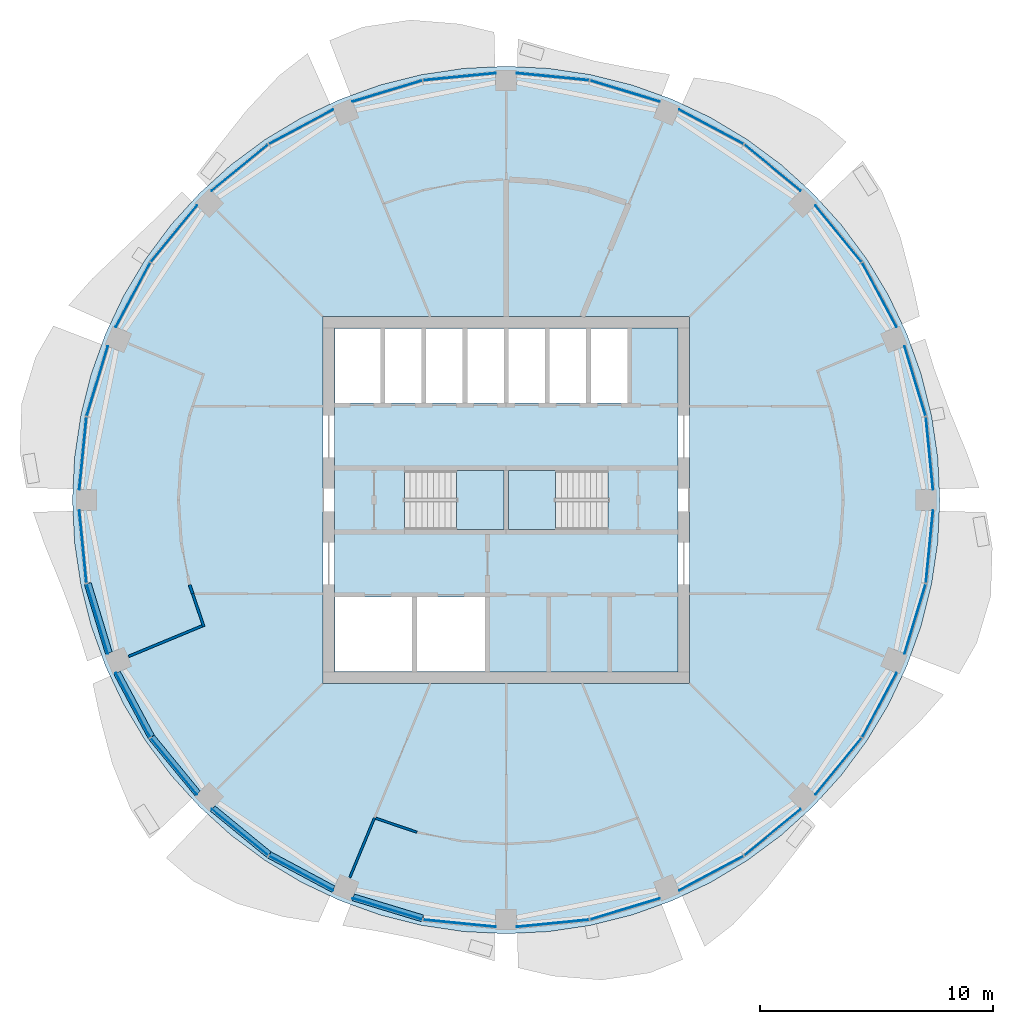
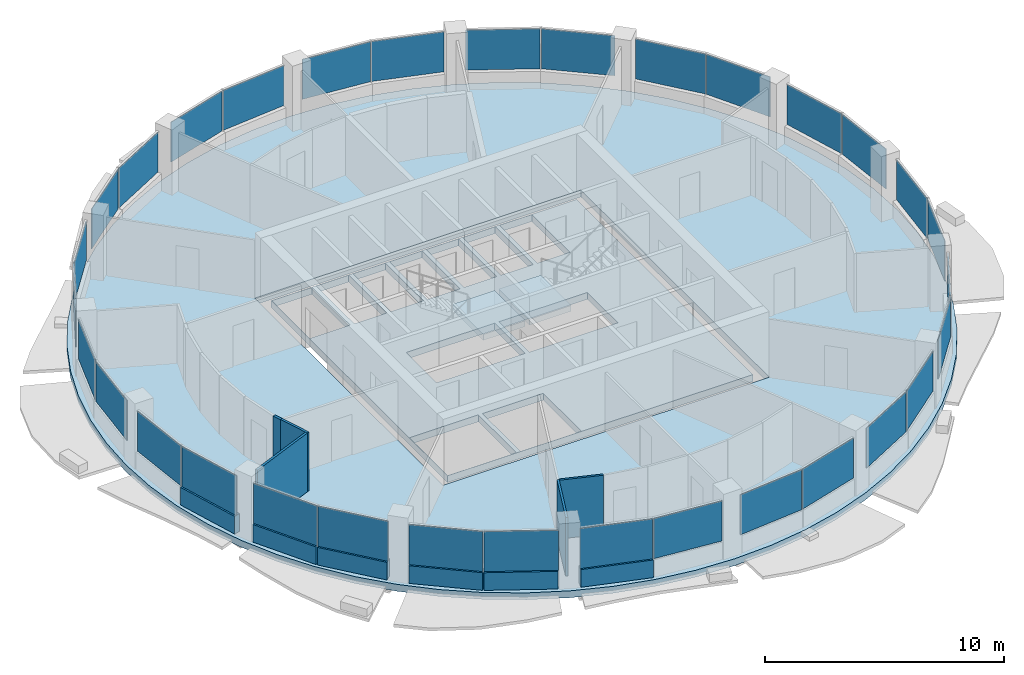
# One storey, part 7 of 15: 32 plates, 11 walls, 4 slabs, 18 elements without a shape of their own.
"""IFC4 building model written with IfcOpenShell, lengths in metres."""

from ifc_helpers import new_model, si_unit, direction, frame, frame_2d, origin, origin_2d, place, context, subcontext, project, spatial, polyline, rectangle, outline, extrude, material, layer, layer_set, type_object, element, aggregate, save


model = new_model("IFC4")

# Units and contexts
model_context = context("Model", 3, precision=1e-05, world=origin(), true_north=direction((0.0, 1.0)))
body_context = subcontext(model_context, "Body", "Model", "MODEL_VIEW")
ifc_project = project(units=[si_unit("LENGTHUNIT", "METRE"), si_unit("AREAUNIT", "SQUARE_METRE"), si_unit("VOLUMEUNIT", "CUBIC_METRE"), si_unit("PLANEANGLEUNIT", "RADIAN"), si_unit("MASSUNIT", "GRAM", prefix="KILO")], contexts=[model_context])

# Site, building, storey
site_placement = place(None, origin())
site = spatial("IfcSite", under=ifc_project, at=site_placement, CompositionType="ELEMENT")
building_placement = place(site_placement, origin())
building = spatial("IfcBuilding", under=site, at=building_placement, Name="Polderwave Tower", CompositionType="ELEMENT")
storey_placement = place(building_placement, frame((0.0, 0.0, 177.60009765625)))
storey = spatial("IfcBuildingStorey", under=building, at=storey_placement, Name="L47", CompositionType="ELEMENT", Elevation=177.60009765625)

# Slab
ifc_material_1 = material(Name="Concrete C40/50", Category="concrete")
ifc_layer_1 = layer(ifc_material_1, 0.35009765625)
ifc_layer_set_1 = layer_set([ifc_layer_1], Name="Core floor slab 350")
slab_type_1 = type_object("IfcSlabType", Name="Core floor slab 350", PredefinedType="FLOOR", material=ifc_layer_set_1)
slab_1_placement = place(storey_placement, frame((0.0, 0.0, -0.35009765625)))
element("IfcSlab", 1, at=slab_1_placement, inside=storey, type_object=slab_type_1, Name="L47 core floor", PredefinedType="FLOOR", context=body_context, shape_type="SweptSolid", body=[
    extrude(outline(polyline([(-7.3740234375, -7.3740234375), (7.3740234375, -7.3740234375), (7.3740234375, 7.3740234375), (-7.3740234375, 7.3740234375), (-7.3740234375, -7.3740234375)]), holes=[polyline([(-7.35400390625, -7.35400390625), (-4.037109375, -7.35400390625), (-4.037109375, -4.174072265625), (-7.35400390625, -4.174072265625), (-7.35400390625, -7.35400390625)]), polyline([(-3.8369140625, -7.35400390625), (-0.89990234375, -7.35400390625), (-0.89990234375, -4.174072265625), (-3.8369140625, -4.174072265625), (-3.8369140625, -7.35400390625)]), polyline([(-7.35400390625, 4.174072265625), (-5.405517578125, 4.174072265625), (-5.405517578125, 7.35400390625), (-7.35400390625, 7.35400390625), (-7.35400390625, 4.174072265625)]), polyline([(-5.20556640625, 4.174072265625), (-3.636962890625, 4.174072265625), (-3.636962890625, 7.35400390625), (-5.20556640625, 7.35400390625), (-5.20556640625, 4.174072265625)]), polyline([(-3.43701171875, 4.174072265625), (-1.868408203125, 4.174072265625), (-1.868408203125, 7.35400390625), (-3.43701171875, 7.35400390625), (-3.43701171875, 4.174072265625)]), polyline([(-1.66845703125, 4.174072265625), (-0.10009765625, 4.174072265625), (-0.10009765625, 7.35400390625), (-1.66845703125, 7.35400390625), (-1.66845703125, 4.174072265625)]), polyline([(0.10009765625, 4.174072265625), (1.66845703125, 4.174072265625), (1.66845703125, 7.35400390625), (0.10009765625, 7.35400390625), (0.10009765625, 4.174072265625)]), polyline([(1.868408203125, 4.174072265625), (3.43701171875, 4.174072265625), (3.43701171875, 7.35400390625), (1.868408203125, 7.35400390625), (1.868408203125, 4.174072265625)]), polyline([(3.636962890625, 4.174072265625), (5.20556640625, 4.174072265625), (5.20556640625, 7.35400390625), (3.636962890625, 7.35400390625), (3.636962890625, 4.174072265625)]), polyline([(-4.37353515625, -1.2744140625), (-0.1005859375, -1.2744140625), (-0.1005859375, 1.2744140625), (-4.37353515625, 1.2744140625), (-4.37353515625, -1.2744140625)]), polyline([(0.1005859375, -1.2744140625), (4.37353515625, -1.2744140625), (4.37353515625, 1.2744140625), (0.1005859375, 1.2744140625), (0.1005859375, -1.2744140625)])]), origin(), (0.0, 0.0, 1.0), 0.35009765625),
])

# Curtain wall, plates
ifc_material_2 = material(Name="Aluminium 6063-T6 and glass", Category="aluminium")
curtain_wall_type = type_object("IfcCurtainWallType", Name="Office ribbon glazing wall", PredefinedType="NOTDEFINED", material=ifc_material_2)
curtain_wall_1_placement = place(storey_placement, origin())
curtain_wall_1 = element("IfcCurtainWall", 2, at=curtain_wall_1_placement, inside=storey, type_object=curtain_wall_type, Name="CW3 L47 00", PredefinedType="NOTDEFINED")
ifc_material_3 = material(Name="Glass, low-e laminated double glazing", Category="glass")
ifc_layer_2 = layer(ifc_material_3, 0.031982421875)
ifc_layer_set_2 = layer_set([ifc_layer_2], Name="Office ribbon glazing glass panel 32 mm")
plate_type = type_object("IfcPlateType", Name="Office ribbon glazing glass panel 32 mm", PredefinedType="CURTAIN_PANEL", material=ifc_layer_set_2)
plate_1_placement = place(storey_placement, frame((18.1728515625, 2.00341796875, 0.89990234375), z_axis=(0.0, 0.0, 1.0), x_axis=(-0.098119618386, 0.995174628137, 0.0)))
plate_1 = element("IfcPlate", 3, at=plate_1_placement, type_object=plate_type, Name="CW3 panel 1", PredefinedType="CURTAIN_PANEL", context=body_context, shape_type="SweptSolid", body=[
    extrude(rectangle(XDim=3.12158203125, YDim=0.031982421875, at=origin_2d()), origin(), (0.0, 0.0, 1.0), 2.0400390625),
])
plate_2_placement = place(storey_placement, frame((17.555908203125, 5.103759765625, 0.89990234375), z_axis=(0.0, 0.0, 1.0), x_axis=(-0.290289687778, 0.956938815792, 0.0)))
plate_2 = element("IfcPlate", 4, at=plate_2_placement, type_object=plate_type, Name="CW3 panel 2", PredefinedType="CURTAIN_PANEL", context=body_context, shape_type="SweptSolid", body=[
    extrude(rectangle(XDim=3.12109375, YDim=0.031982421875, at=origin_2d()), origin(), (0.0, 0.0, 1.0), 2.0400390625),
])
aggregate(curtain_wall_1, [plate_1, plate_2])

curtain_wall_2_placement = place(storey_placement, origin())
curtain_wall_2 = element("IfcCurtainWall", 5, at=curtain_wall_2_placement, inside=storey, type_object=curtain_wall_type, Name="CW3 L47 01", PredefinedType="NOTDEFINED")
plate_3_placement = place(storey_placement, frame((16.02294921875, 8.805419921875, 0.89990234375), z_axis=(0.0, 0.0, 1.0), x_axis=(-0.471559888514, 0.88183403855, 0.0)))
plate_3 = element("IfcPlate", 6, at=plate_3_placement, type_object=plate_type, Name="CW3 panel 1", PredefinedType="CURTAIN_PANEL", context=body_context, shape_type="SweptSolid", body=[
    extrude(rectangle(XDim=3.12158203125, YDim=0.031982421875, at=origin_2d()), origin(), (0.0, 0.0, 1.0), 2.0400390625),
])
plate_4_placement = place(storey_placement, frame((14.266357421875, 11.43359375, 0.89990234375), z_axis=(0.0, 0.0, 1.0), x_axis=(-0.634482324366, 0.772937371374, 0.0)))
plate_4 = element("IfcPlate", 7, at=plate_4_placement, type_object=plate_type, Name="CW3 panel 2", PredefinedType="CURTAIN_PANEL", context=body_context, shape_type="SweptSolid", body=[
    extrude(rectangle(XDim=3.12158203125, YDim=0.031982421875, at=origin_2d()), origin(), (0.0, 0.0, 1.0), 2.0400390625),
])
aggregate(curtain_wall_2, [plate_3, plate_4])

curtain_wall_3_placement = place(storey_placement, origin())
curtain_wall_3 = element("IfcCurtainWall", 8, at=curtain_wall_3_placement, inside=storey, type_object=curtain_wall_type, Name="CW3 L47 02", PredefinedType="NOTDEFINED")
plate_5_placement = place(storey_placement, frame((11.43359375, 14.266357421875, 0.89990234375), z_axis=(0.0, 0.0, 1.0), x_axis=(-0.772937371374, 0.634482324366, 0.0)))
plate_5 = element("IfcPlate", 9, at=plate_5_placement, type_object=plate_type, Name="CW3 panel 1", PredefinedType="CURTAIN_PANEL", context=body_context, shape_type="SweptSolid", body=[
    extrude(rectangle(XDim=3.12158203125, YDim=0.031982421875, at=origin_2d()), origin(), (0.0, 0.0, 1.0), 2.0400390625),
])
plate_6_placement = place(storey_placement, frame((8.805419921875, 16.02294921875, 0.89990234375), z_axis=(0.0, 0.0, 1.0), x_axis=(-0.88183403855, 0.471559888514, 0.0)))
plate_6 = element("IfcPlate", 10, at=plate_6_placement, type_object=plate_type, Name="CW3 panel 2", PredefinedType="CURTAIN_PANEL", context=body_context, shape_type="SweptSolid", body=[
    extrude(rectangle(XDim=3.12158203125, YDim=0.031982421875, at=origin_2d()), origin(), (0.0, 0.0, 1.0), 2.0400390625),
])
aggregate(curtain_wall_3, [plate_5, plate_6])

curtain_wall_4_placement = place(storey_placement, origin())
curtain_wall_4 = element("IfcCurtainWall", 11, at=curtain_wall_4_placement, inside=storey, type_object=curtain_wall_type, Name="CW3 L47 03", PredefinedType="NOTDEFINED")
plate_7_placement = place(storey_placement, frame((5.103759765625, 17.555908203125, 0.89990234375), z_axis=(0.0, 0.0, 1.0), x_axis=(-0.956938815792, 0.290289687778, 0.0)))
plate_7 = element("IfcPlate", 12, at=plate_7_placement, type_object=plate_type, Name="CW3 panel 1", PredefinedType="CURTAIN_PANEL", context=body_context, shape_type="SweptSolid", body=[
    extrude(rectangle(XDim=3.12109375, YDim=0.031982421875, at=origin_2d()), origin(), (0.0, 0.0, 1.0), 2.0400390625),
])
plate_8_placement = place(storey_placement, frame((2.00341796875, 18.1728515625, 0.89990234375), z_axis=(0.0, 0.0, 1.0), x_axis=(-0.995174628137, 0.098119618386, 0.0)))
plate_8 = element("IfcPlate", 13, at=plate_8_placement, type_object=plate_type, Name="CW3 panel 2", PredefinedType="CURTAIN_PANEL", context=body_context, shape_type="SweptSolid", body=[
    extrude(rectangle(XDim=3.12158203125, YDim=0.031982421875, at=origin_2d()), origin(), (0.0, 0.0, 1.0), 2.0400390625),
])
aggregate(curtain_wall_4, [plate_7, plate_8])

curtain_wall_5_placement = place(storey_placement, origin())
curtain_wall_5 = element("IfcCurtainWall", 14, at=curtain_wall_5_placement, inside=storey, type_object=curtain_wall_type, Name="CW3 L47 04", PredefinedType="NOTDEFINED")
plate_9_placement = place(storey_placement, frame((-2.00341796875, 18.1728515625, 0.89990234375), z_axis=(0.0, 0.0, 1.0), x_axis=(-0.995174628137, -0.098119618386, 0.0)))
plate_9 = element("IfcPlate", 15, at=plate_9_placement, type_object=plate_type, Name="CW3 panel 1", PredefinedType="CURTAIN_PANEL", context=body_context, shape_type="SweptSolid", body=[
    extrude(rectangle(XDim=3.12158203125, YDim=0.031982421875, at=origin_2d()), origin(), (0.0, 0.0, 1.0), 2.0400390625),
])
plate_10_placement = place(storey_placement, frame((-5.103759765625, 17.555908203125, 0.89990234375), z_axis=(0.0, 0.0, 1.0), x_axis=(-0.956938815792, -0.290289687778, 0.0)))
plate_10 = element("IfcPlate", 16, at=plate_10_placement, type_object=plate_type, Name="CW3 panel 2", PredefinedType="CURTAIN_PANEL", context=body_context, shape_type="SweptSolid", body=[
    extrude(rectangle(XDim=3.12109375, YDim=0.031982421875, at=origin_2d()), origin(), (0.0, 0.0, 1.0), 2.0400390625),
])
aggregate(curtain_wall_5, [plate_9, plate_10])

curtain_wall_6_placement = place(storey_placement, origin())
curtain_wall_6 = element("IfcCurtainWall", 17, at=curtain_wall_6_placement, inside=storey, type_object=curtain_wall_type, Name="CW3 L47 05", PredefinedType="NOTDEFINED")
plate_11_placement = place(storey_placement, frame((-8.805419921875, 16.02294921875, 0.89990234375), z_axis=(0.0, 0.0, 1.0), x_axis=(-0.88183403855, -0.471559888514, 0.0)))
plate_11 = element("IfcPlate", 18, at=plate_11_placement, type_object=plate_type, Name="CW3 panel 1", PredefinedType="CURTAIN_PANEL", context=body_context, shape_type="SweptSolid", body=[
    extrude(rectangle(XDim=3.12158203125, YDim=0.031982421875, at=origin_2d()), origin(), (0.0, 0.0, 1.0), 2.0400390625),
])
plate_12_placement = place(storey_placement, frame((-11.43359375, 14.266357421875, 0.89990234375), z_axis=(0.0, 0.0, 1.0), x_axis=(-0.772937371374, -0.634482324366, 0.0)))
plate_12 = element("IfcPlate", 19, at=plate_12_placement, type_object=plate_type, Name="CW3 panel 2", PredefinedType="CURTAIN_PANEL", context=body_context, shape_type="SweptSolid", body=[
    extrude(rectangle(XDim=3.12158203125, YDim=0.031982421875, at=origin_2d()), origin(), (0.0, 0.0, 1.0), 2.0400390625),
])
aggregate(curtain_wall_6, [plate_11, plate_12])

curtain_wall_7_placement = place(storey_placement, origin())
curtain_wall_7 = element("IfcCurtainWall", 20, at=curtain_wall_7_placement, inside=storey, type_object=curtain_wall_type, Name="CW3 L47 06", PredefinedType="NOTDEFINED")
plate_13_placement = place(storey_placement, frame((-14.266357421875, 11.43359375, 0.89990234375), z_axis=(0.0, 0.0, 1.0), x_axis=(-0.634482324366, -0.772937371374, 0.0)))
plate_13 = element("IfcPlate", 21, at=plate_13_placement, type_object=plate_type, Name="CW3 panel 1", PredefinedType="CURTAIN_PANEL", context=body_context, shape_type="SweptSolid", body=[
    extrude(rectangle(XDim=3.12158203125, YDim=0.031982421875, at=origin_2d()), origin(), (0.0, 0.0, 1.0), 2.0400390625),
])
plate_14_placement = place(storey_placement, frame((-16.02294921875, 8.805419921875, 0.89990234375), z_axis=(0.0, 0.0, 1.0), x_axis=(-0.471559888514, -0.88183403855, 0.0)))
plate_14 = element("IfcPlate", 22, at=plate_14_placement, type_object=plate_type, Name="CW3 panel 2", PredefinedType="CURTAIN_PANEL", context=body_context, shape_type="SweptSolid", body=[
    extrude(rectangle(XDim=3.12158203125, YDim=0.031982421875, at=origin_2d()), origin(), (0.0, 0.0, 1.0), 2.0400390625),
])
aggregate(curtain_wall_7, [plate_13, plate_14])

curtain_wall_8_placement = place(storey_placement, origin())
curtain_wall_8 = element("IfcCurtainWall", 23, at=curtain_wall_8_placement, inside=storey, type_object=curtain_wall_type, Name="CW3 L47 07", PredefinedType="NOTDEFINED")
plate_15_placement = place(storey_placement, frame((-17.555908203125, 5.103759765625, 0.89990234375), z_axis=(0.0, 0.0, 1.0), x_axis=(-0.290289687778, -0.956938815792, 0.0)))
plate_15 = element("IfcPlate", 24, at=plate_15_placement, type_object=plate_type, Name="CW3 panel 1", PredefinedType="CURTAIN_PANEL", context=body_context, shape_type="SweptSolid", body=[
    extrude(rectangle(XDim=3.12109375, YDim=0.031982421875, at=origin_2d()), origin(), (0.0, 0.0, 1.0), 2.0400390625),
])
plate_16_placement = place(storey_placement, frame((-18.1728515625, 2.00341796875, 0.89990234375), z_axis=(0.0, 0.0, 1.0), x_axis=(-0.098119618386, -0.995174628137, 0.0)))
plate_16 = element("IfcPlate", 25, at=plate_16_placement, type_object=plate_type, Name="CW3 panel 2", PredefinedType="CURTAIN_PANEL", context=body_context, shape_type="SweptSolid", body=[
    extrude(rectangle(XDim=3.12158203125, YDim=0.031982421875, at=origin_2d()), origin(), (0.0, 0.0, 1.0), 2.0400390625),
])
aggregate(curtain_wall_8, [plate_15, plate_16])

curtain_wall_9_placement = place(storey_placement, origin())
curtain_wall_9 = element("IfcCurtainWall", 26, at=curtain_wall_9_placement, inside=storey, type_object=curtain_wall_type, Name="CW3 L47 08", PredefinedType="NOTDEFINED")
plate_17_placement = place(storey_placement, frame((-18.1728515625, -2.00341796875, 0.89990234375), z_axis=(0.0, 0.0, 1.0), x_axis=(0.098119618386, -0.995174628137, 0.0)))
plate_17 = element("IfcPlate", 27, at=plate_17_placement, type_object=plate_type, Name="CW3 panel 1", PredefinedType="CURTAIN_PANEL", context=body_context, shape_type="SweptSolid", body=[
    extrude(rectangle(XDim=3.12158203125, YDim=0.031982421875, at=origin_2d()), origin(), (0.0, 0.0, 1.0), 2.0400390625),
])
plate_18_placement = place(storey_placement, frame((-17.555908203125, -5.103759765625, 0.89990234375), z_axis=(0.0, 0.0, 1.0), x_axis=(0.290289687778, -0.956938815792, 0.0)))
plate_18 = element("IfcPlate", 28, at=plate_18_placement, type_object=plate_type, Name="CW3 panel 2", PredefinedType="CURTAIN_PANEL", context=body_context, shape_type="SweptSolid", body=[
    extrude(rectangle(XDim=3.12109375, YDim=0.031982421875, at=origin_2d()), origin(), (0.0, 0.0, 1.0), 2.0400390625),
])
aggregate(curtain_wall_9, [plate_17, plate_18])

curtain_wall_10_placement = place(storey_placement, origin())
curtain_wall_10 = element("IfcCurtainWall", 29, at=curtain_wall_10_placement, inside=storey, type_object=curtain_wall_type, Name="CW3 L47 09", PredefinedType="NOTDEFINED")
plate_19_placement = place(storey_placement, frame((-16.02294921875, -8.805419921875, 0.89990234375), z_axis=(0.0, 0.0, 1.0), x_axis=(0.471559888514, -0.88183403855, 0.0)))
plate_19 = element("IfcPlate", 30, at=plate_19_placement, type_object=plate_type, Name="CW3 panel 1", PredefinedType="CURTAIN_PANEL", context=body_context, shape_type="SweptSolid", body=[
    extrude(rectangle(XDim=3.12158203125, YDim=0.031982421875, at=origin_2d()), origin(), (0.0, 0.0, 1.0), 2.0400390625),
])
plate_20_placement = place(storey_placement, frame((-14.266357421875, -11.43359375, 0.89990234375), z_axis=(0.0, 0.0, 1.0), x_axis=(0.634482324366, -0.772937371374, 0.0)))
plate_20 = element("IfcPlate", 31, at=plate_20_placement, type_object=plate_type, Name="CW3 panel 2", PredefinedType="CURTAIN_PANEL", context=body_context, shape_type="SweptSolid", body=[
    extrude(rectangle(XDim=3.12158203125, YDim=0.031982421875, at=origin_2d()), origin(), (0.0, 0.0, 1.0), 2.0400390625),
])
aggregate(curtain_wall_10, [plate_19, plate_20])

curtain_wall_11_placement = place(storey_placement, origin())
curtain_wall_11 = element("IfcCurtainWall", 32, at=curtain_wall_11_placement, inside=storey, type_object=curtain_wall_type, Name="CW3 L47 10", PredefinedType="NOTDEFINED")
plate_21_placement = place(storey_placement, frame((-11.43359375, -14.266357421875, 0.89990234375), z_axis=(0.0, 0.0, 1.0), x_axis=(0.772937371374, -0.634482324366, 0.0)))
plate_21 = element("IfcPlate", 33, at=plate_21_placement, type_object=plate_type, Name="CW3 panel 1", PredefinedType="CURTAIN_PANEL", context=body_context, shape_type="SweptSolid", body=[
    extrude(rectangle(XDim=3.12158203125, YDim=0.031982421875, at=origin_2d()), origin(), (0.0, 0.0, 1.0), 2.0400390625),
])
plate_22_placement = place(storey_placement, frame((-8.805419921875, -16.02294921875, 0.89990234375), z_axis=(0.0, 0.0, 1.0), x_axis=(0.88183403855, -0.471559888514, 0.0)))
plate_22 = element("IfcPlate", 34, at=plate_22_placement, type_object=plate_type, Name="CW3 panel 2", PredefinedType="CURTAIN_PANEL", context=body_context, shape_type="SweptSolid", body=[
    extrude(rectangle(XDim=3.12158203125, YDim=0.031982421875, at=origin_2d()), origin(), (0.0, 0.0, 1.0), 2.0400390625),
])
aggregate(curtain_wall_11, [plate_21, plate_22])

curtain_wall_12_placement = place(storey_placement, origin())
curtain_wall_12 = element("IfcCurtainWall", 35, at=curtain_wall_12_placement, inside=storey, type_object=curtain_wall_type, Name="CW3 L47 11", PredefinedType="NOTDEFINED")
plate_23_placement = place(storey_placement, frame((-5.103759765625, -17.555908203125, 0.89990234375), z_axis=(0.0, 0.0, 1.0), x_axis=(0.956938815792, -0.290289687778, 0.0)))
plate_23 = element("IfcPlate", 36, at=plate_23_placement, type_object=plate_type, Name="CW3 panel 1", PredefinedType="CURTAIN_PANEL", context=body_context, shape_type="SweptSolid", body=[
    extrude(rectangle(XDim=3.12109375, YDim=0.031982421875, at=origin_2d()), origin(), (0.0, 0.0, 1.0), 2.0400390625),
])
plate_24_placement = place(storey_placement, frame((-2.00341796875, -18.1728515625, 0.89990234375), z_axis=(0.0, 0.0, 1.0), x_axis=(0.995174628137, -0.098119618386, 0.0)))
plate_24 = element("IfcPlate", 37, at=plate_24_placement, type_object=plate_type, Name="CW3 panel 2", PredefinedType="CURTAIN_PANEL", context=body_context, shape_type="SweptSolid", body=[
    extrude(rectangle(XDim=3.12158203125, YDim=0.031982421875, at=origin_2d()), origin(), (0.0, 0.0, 1.0), 2.0400390625),
])
aggregate(curtain_wall_12, [plate_23, plate_24])

curtain_wall_13_placement = place(storey_placement, origin())
curtain_wall_13 = element("IfcCurtainWall", 38, at=curtain_wall_13_placement, inside=storey, type_object=curtain_wall_type, Name="CW3 L47 12", PredefinedType="NOTDEFINED")
plate_25_placement = place(storey_placement, frame((2.00341796875, -18.1728515625, 0.89990234375), z_axis=(0.0, 0.0, 1.0), x_axis=(0.995174628137, 0.098119618386, 0.0)))
plate_25 = element("IfcPlate", 39, at=plate_25_placement, type_object=plate_type, Name="CW3 panel 1", PredefinedType="CURTAIN_PANEL", context=body_context, shape_type="SweptSolid", body=[
    extrude(rectangle(XDim=3.12158203125, YDim=0.031982421875, at=origin_2d()), origin(), (0.0, 0.0, 1.0), 2.0400390625),
])
plate_26_placement = place(storey_placement, frame((5.103759765625, -17.555908203125, 0.89990234375), z_axis=(0.0, 0.0, 1.0), x_axis=(0.956938815792, 0.290289687778, 0.0)))
plate_26 = element("IfcPlate", 40, at=plate_26_placement, type_object=plate_type, Name="CW3 panel 2", PredefinedType="CURTAIN_PANEL", context=body_context, shape_type="SweptSolid", body=[
    extrude(rectangle(XDim=3.12109375, YDim=0.031982421875, at=origin_2d()), origin(), (0.0, 0.0, 1.0), 2.0400390625),
])
aggregate(curtain_wall_13, [plate_25, plate_26])

curtain_wall_14_placement = place(storey_placement, origin())
curtain_wall_14 = element("IfcCurtainWall", 41, at=curtain_wall_14_placement, inside=storey, type_object=curtain_wall_type, Name="CW3 L47 13", PredefinedType="NOTDEFINED")
plate_27_placement = place(storey_placement, frame((8.805419921875, -16.02294921875, 0.89990234375), z_axis=(0.0, 0.0, 1.0), x_axis=(0.88183403855, 0.471559888514, 0.0)))
plate_27 = element("IfcPlate", 42, at=plate_27_placement, type_object=plate_type, Name="CW3 panel 1", PredefinedType="CURTAIN_PANEL", context=body_context, shape_type="SweptSolid", body=[
    extrude(rectangle(XDim=3.12158203125, YDim=0.031982421875, at=origin_2d()), origin(), (0.0, 0.0, 1.0), 2.0400390625),
])
plate_28_placement = place(storey_placement, frame((11.43359375, -14.266357421875, 0.89990234375), z_axis=(0.0, 0.0, 1.0), x_axis=(0.772937371374, 0.634482324366, 0.0)))
plate_28 = element("IfcPlate", 43, at=plate_28_placement, type_object=plate_type, Name="CW3 panel 2", PredefinedType="CURTAIN_PANEL", context=body_context, shape_type="SweptSolid", body=[
    extrude(rectangle(XDim=3.12158203125, YDim=0.031982421875, at=origin_2d()), origin(), (0.0, 0.0, 1.0), 2.0400390625),
])
aggregate(curtain_wall_14, [plate_27, plate_28])

curtain_wall_15_placement = place(storey_placement, origin())
curtain_wall_15 = element("IfcCurtainWall", 44, at=curtain_wall_15_placement, inside=storey, type_object=curtain_wall_type, Name="CW3 L47 14", PredefinedType="NOTDEFINED")
plate_29_placement = place(storey_placement, frame((14.266357421875, -11.43359375, 0.89990234375), z_axis=(0.0, 0.0, 1.0), x_axis=(0.634482324366, 0.772937371374, 0.0)))
plate_29 = element("IfcPlate", 45, at=plate_29_placement, type_object=plate_type, Name="CW3 panel 1", PredefinedType="CURTAIN_PANEL", context=body_context, shape_type="SweptSolid", body=[
    extrude(rectangle(XDim=3.12158203125, YDim=0.031982421875, at=origin_2d()), origin(), (0.0, 0.0, 1.0), 2.0400390625),
])
plate_30_placement = place(storey_placement, frame((16.02294921875, -8.805419921875, 0.89990234375), z_axis=(0.0, 0.0, 1.0), x_axis=(0.471559888514, 0.88183403855, 0.0)))
plate_30 = element("IfcPlate", 46, at=plate_30_placement, type_object=plate_type, Name="CW3 panel 2", PredefinedType="CURTAIN_PANEL", context=body_context, shape_type="SweptSolid", body=[
    extrude(rectangle(XDim=3.12158203125, YDim=0.031982421875, at=origin_2d()), origin(), (0.0, 0.0, 1.0), 2.0400390625),
])
aggregate(curtain_wall_15, [plate_29, plate_30])

curtain_wall_16_placement = place(storey_placement, origin())
curtain_wall_16 = element("IfcCurtainWall", 47, at=curtain_wall_16_placement, inside=storey, type_object=curtain_wall_type, Name="CW3 L47 15", PredefinedType="NOTDEFINED")
plate_31_placement = place(storey_placement, frame((17.555908203125, -5.103759765625, 0.89990234375), z_axis=(0.0, 0.0, 1.0), x_axis=(0.290289687778, 0.956938815792, 0.0)))
plate_31 = element("IfcPlate", 48, at=plate_31_placement, type_object=plate_type, Name="CW3 panel 1", PredefinedType="CURTAIN_PANEL", context=body_context, shape_type="SweptSolid", body=[
    extrude(rectangle(XDim=3.12109375, YDim=0.031982421875, at=origin_2d()), origin(), (0.0, 0.0, 1.0), 2.0400390625),
])
plate_32_placement = place(storey_placement, frame((18.1728515625, -2.00341796875, 0.89990234375), z_axis=(0.0, 0.0, 1.0), x_axis=(0.098119618386, 0.995174628137, 0.0)))
plate_32 = element("IfcPlate", 49, at=plate_32_placement, type_object=plate_type, Name="CW3 panel 2", PredefinedType="CURTAIN_PANEL", context=body_context, shape_type="SweptSolid", body=[
    extrude(rectangle(XDim=3.12158203125, YDim=0.031982421875, at=origin_2d()), origin(), (0.0, 0.0, 1.0), 2.0400390625),
])
aggregate(curtain_wall_16, [plate_31, plate_32])

# Slab
ifc_layer_3 = layer(ifc_material_1, 0.35009765625)
ifc_layer_set_3 = layer_set([ifc_layer_3], Name="PT FLOOR SLAB 350 C40/50")
slab_type_2 = type_object("IfcSlabType", Name="PT FLOOR SLAB 350 C40/50", PredefinedType="FLOOR", material=ifc_layer_set_3)
slab_2_placement = place(storey_placement, frame((0.0, 0.0, -0.35009765625)))
element("IfcSlab", 50, at=slab_2_placement, inside=storey, type_object=slab_type_2, Name="ST-SLAB-L47", PredefinedType="FLOOR", context=body_context, shape_type="SweptSolid", body=[
    extrude(outline(polyline([(18.6201171875, 0.0), (18.5302734375, 1.8251953125), (18.26220703125, 3.632568359375), (17.818115234375, 5.405029296875), (17.20263671875, 7.12548828125), (16.42138671875, 8.77734375), (15.48193359375, 10.3447265625), (14.3935546875, 11.8125), (13.166259765625, 13.166259765625), (11.8125, 14.3935546875), (10.3447265625, 15.48193359375), (8.77734375, 16.42138671875), (7.12548828125, 17.20263671875), (5.405029296875, 17.818115234375), (3.632568359375, 18.26220703125), (1.8251953125, 18.5302734375), (0.0, 18.6201171875), (-1.8251953125, 18.5302734375), (-3.632568359375, 18.26220703125), (-5.405029296875, 17.818115234375), (-7.12548828125, 17.20263671875), (-8.77734375, 16.42138671875), (-10.3447265625, 15.48193359375), (-11.8125, 14.3935546875), (-13.166259765625, 13.166259765625), (-14.3935546875, 11.8125), (-15.48193359375, 10.3447265625), (-16.42138671875, 8.77734375), (-17.20263671875, 7.12548828125), (-17.818115234375, 5.405029296875), (-18.26220703125, 3.632568359375), (-18.5302734375, 1.8251953125), (-18.6201171875, 0.0), (-18.5302734375, -1.8251953125), (-18.26220703125, -3.632568359375), (-17.818115234375, -5.405029296875), (-17.20263671875, -7.12548828125), (-16.42138671875, -8.77734375), (-15.48193359375, -10.3447265625), (-14.3935546875, -11.8125), (-13.166259765625, -13.166259765625), (-11.8125, -14.3935546875), (-10.3447265625, -15.48193359375), (-8.77734375, -16.42138671875), (-7.12548828125, -17.20263671875), (-5.405029296875, -17.818115234375), (-3.632568359375, -18.26220703125), (-1.8251953125, -18.5302734375), (0.0, -18.6201171875), (1.8251953125, -18.5302734375), (3.632568359375, -18.26220703125), (5.405029296875, -17.818115234375), (7.12548828125, -17.20263671875), (8.77734375, -16.42138671875), (10.3447265625, -15.48193359375), (11.8125, -14.3935546875), (13.166259765625, -13.166259765625), (14.3935546875, -11.8125), (15.48193359375, -10.3447265625), (16.42138671875, -8.77734375), (17.20263671875, -7.12548828125), (17.818115234375, -5.405029296875), (18.26220703125, -3.632568359375), (18.5302734375, -1.8251953125), (18.6201171875, 0.0)]), holes=[polyline([(-7.8740234375, -7.8740234375), (7.8740234375, -7.8740234375), (7.8740234375, 7.8740234375), (-7.8740234375, 7.8740234375), (-7.8740234375, -7.8740234375)])]), origin(), (0.0, 0.0, 1.0), 0.35009765625),
])

# Stair, slab
stair_type = type_object("IfcStairType", Name="Exit stair 1200 x 20 risers", PredefinedType="HALF_TURN_STAIR", material=ifc_material_1)
stair_1_placement = place(storey_placement, origin())
stair_1 = element("IfcStair", 51, at=stair_1_placement, inside=storey, type_object=stair_type, Name="L47 Exit stair A", PredefinedType="HALF_TURN_STAIR")
ifc_layer_4 = layer(ifc_material_1, 0.300048828125)
ifc_layer_set_4 = layer_set([ifc_layer_4], Name="Stair landing 300")
slab_type_3 = type_object("IfcSlabType", Name="Stair landing 300", PredefinedType="LANDING", material=ifc_layer_set_4)
slab_3_placement = place(storey_placement, frame((0.0, 0.0, 1.375)))
slab_3 = element("IfcSlab", 52, at=slab_3_placement, type_object=slab_type_3, Name="ST-A landing 1", PredefinedType="LANDING", context=body_context, shape_type="SweptSolid", body=[
    extrude(outline(polyline([(-2.1240234375, -1.27490234375), (-0.10009765625, -1.27490234375), (-0.10009765625, 1.27490234375), (-2.1240234375, 1.27490234375), (-2.1240234375, -1.27490234375)])), origin(), (0.0, 0.0, 1.0), 0.2998046875),
])
aggregate(stair_1, [slab_3])

stair_2_placement = place(storey_placement, origin())
stair_2 = element("IfcStair", 53, at=stair_2_placement, inside=storey, type_object=stair_type, Name="L47 Exit stair B", PredefinedType="HALF_TURN_STAIR")
slab_4_placement = place(storey_placement, frame((0.0, 0.0, 1.375)))
slab_4 = element("IfcSlab", 54, at=slab_4_placement, type_object=slab_type_3, Name="ST-B landing 1", PredefinedType="LANDING", context=body_context, shape_type="SweptSolid", body=[
    extrude(outline(polyline([(2.1240234375, 1.27490234375), (0.10009765625, 1.27490234375), (0.10009765625, -1.27490234375), (2.1240234375, -1.27490234375), (2.1240234375, 1.27490234375)])), origin(), (0.0, 0.0, 1.0), 0.2998046875),
])
aggregate(stair_2, [slab_4])

# Walls
ifc_material_4 = material(Name="Concrete C50/60 (board-marked)", Category="concrete")
ifc_layer_5 = layer(ifc_material_4, 0.300048828125)
ifc_layer_set_5 = layer_set([ifc_layer_5], Name="Concrete spandrel upstand C50/60")
wall_type_1 = type_object("IfcWallType", Name="Concrete spandrel upstand C50/60", PredefinedType="SOLIDWALL", material=ifc_layer_set_5)
for number, where, z_axis, x_axis, name in (
    (55, (-17.963623046875, -3.58837890625, 0.0), (0.0, 0.0, 1.0), (0.290421284339, -0.956898885778, 0.0), "Spandrel L47 9b"),
    (56, (-16.705810546875, -7.422119140625, 0.0), (0.0, 0.0, 1.0), (0.471598312985, -0.881813490025, 0.0), "Spandrel L47 10a"),
):
    element("IfcWall", number, at=place(storey_placement, frame(where, z_axis=z_axis, x_axis=x_axis)), inside=storey, type_object=wall_type_1, Name=name, PredefinedType="SOLIDWALL", context=body_context, shape_type="SweptSolid", body=[
        extrude(rectangle(XDim=3.1103515625, YDim=0.300048828125, at=frame_2d((1.55517578125, 0.0))), origin(), (0.0, 0.0, 1.0), 0.89990234375),
    ])
for number, where, z_axis, x_axis, name in (
    (57, (-15.222412109375, -10.189697265625, 0.0), (0.0, 0.0, 1.0), (0.634267296653, -0.773113831461, 0.0), "Spandrel L47 10b"),
    (58, (-12.594482421875, -13.24951171875, 0.0), (0.0, 0.0, 1.0), (0.773113831461, -0.634267296653, 0.0), "Spandrel L47 11a"),
):
    element("IfcWall", number, at=place(storey_placement, frame(where, z_axis=z_axis, x_axis=x_axis)), inside=storey, type_object=wall_type_1, Name=name, PredefinedType="SOLIDWALL", context=body_context, shape_type="SweptSolid", body=[
        extrude(rectangle(XDim=3.110595703125, YDim=0.300048828125, at=frame_2d((1.55517578125, 0.0))), origin(), (0.0, 0.0, 1.0), 0.89990234375),
    ])
for number, where, z_axis, x_axis, name in (
    (59, (-10.164794921875, -15.239013671875, 0.0), (0.0, 0.0, 1.0), (0.881813490025, -0.471598312985, 0.0), "Spandrel L47 11b"),
    (60, (-6.564697265625, -17.060302734375, 0.0), (0.0, 0.0, 1.0), (0.956898885778, -0.290421284339, 0.0), "Spandrel L47 12a"),
):
    element("IfcWall", number, at=place(storey_placement, frame(where, z_axis=z_axis, x_axis=x_axis)), inside=storey, type_object=wall_type_1, Name=name, PredefinedType="SOLIDWALL", context=body_context, shape_type="SweptSolid", body=[
        extrude(rectangle(XDim=3.1103515625, YDim=0.300048828125, at=frame_2d((1.55517578125, 0.0))), origin(), (0.0, 0.0, 1.0), 0.89990234375),
    ])
ifc_material_5 = material(Name="Fire-resisting board on steel studs", Category="steel")
ifc_layer_6 = layer(ifc_material_5, 0.125)
ifc_layer_set_6 = layer_set([ifc_layer_6], Name="Corridor wall 125 mm EI 60")
wall_type_2 = type_object("IfcWallType", Name="Corridor wall 125 mm EI 60", PredefinedType="PARTITIONING", material=ifc_layer_set_6)
wall_1_placement = place(storey_placement, frame((-13.460693359375, -4.0244140625, 0.0), z_axis=(0.0, 0.0, 1.0), x_axis=(-0.321530820204, 0.94689911377, 0.0)))
element("IfcWall", 61, at=wall_1_placement, inside=storey, type_object=wall_type_2, Name="IN-L47-W015", PredefinedType="PARTITIONING", context=body_context, shape_type="SweptSolid", body=[
    extrude(rectangle(XDim=0.400146484375, YDim=0.125, at=frame_2d((0.2001953125, 0.0))), origin(), (0.0, 0.0, 1.0), 3.0),
])
ifc_material_6 = material(Name="Plasterboard on steel studs", Category="steel")
ifc_layer_7 = layer(ifc_material_6, 0.10009765625)
ifc_layer_set_7 = layer_set([ifc_layer_7], Name="Partition 100 mm plasterboard on steel studs")
wall_type_3 = type_object("IfcWallType", Name="Partition 100 mm plasterboard on steel studs", PredefinedType="PARTITIONING", material=ifc_layer_set_7)
wall_2_placement = place(storey_placement, frame((-5.652099609375, -13.645751953125, 0.0), z_axis=(0.0, 0.0, 1.0), x_axis=(-0.382774716066, -0.923841716281, 0.0)))
element("IfcWall", 62, at=wall_2_placement, inside=storey, type_object=wall_type_3, Name="IN-L47-W041", PredefinedType="PARTITIONING", context=body_context, shape_type="SweptSolid", body=[
    extrude(rectangle(XDim=2.77001953125, YDim=0.10009765625, at=frame_2d((1.385009765625, 0.0))), origin(), (0.0, 0.0, 1.0), 3.0),
])
wall_3_placement = place(storey_placement, frame((-3.825927734375, -14.265625, 0.0), z_axis=(0.0, 0.0, 1.0), x_axis=(-0.946924217591, 0.321456880686, 0.0)))
element("IfcWall", 63, at=wall_3_placement, inside=storey, type_object=wall_type_3, Name="IN-L47-W042", PredefinedType="PARTITIONING", context=body_context, shape_type="SweptSolid", body=[
    extrude(rectangle(XDim=1.875244140625, YDim=0.10009765625, at=frame_2d((0.9375, 0.0))), origin(), (0.0, 0.0, 1.0), 3.0),
])
ifc_material_7 = material(Name="Acoustic double plasterboard on steel studs", Category="steel")
ifc_layer_8 = layer(ifc_material_7, 0.110107421875)
ifc_layer_set_8 = layer_set([ifc_layer_8], Name="Partition 110 mm acoustic double board")
wall_type_4 = type_object("IfcWallType", Name="Partition 110 mm acoustic double board", PredefinedType="PARTITIONING", material=ifc_layer_set_8)
wall_4_placement = place(storey_placement, frame((-13.460693359375, -4.0244140625, 0.0), z_axis=(0.0, 0.0, 1.0), x_axis=(0.321527037068, -0.946900398371, 0.0)))
element("IfcWall", 64, at=wall_4_placement, inside=storey, type_object=wall_type_4, Name="IN-L47-W037", PredefinedType="PARTITIONING", context=body_context, shape_type="SweptSolid", body=[
    extrude(rectangle(XDim=1.4912109375, YDim=0.110107421875, at=frame_2d((0.74560546875, 0.0))), origin(), (0.0, 0.0, 1.0), 3.0),
])
wall_5_placement = place(storey_placement, frame((-13.05322265625, -5.406982421875, 0.0), z_axis=(0.0, 0.0, 1.0), x_axis=(-0.923881629558, -0.382678369606, 0.0)))
element("IfcWall", 65, at=wall_5_placement, inside=storey, type_object=wall_type_4, Name="IN-L47-W038", PredefinedType="PARTITIONING", context=body_context, shape_type="SweptSolid", body=[
    extrude(rectangle(XDim=3.411376953125, YDim=0.110107421875, at=frame_2d((1.70556640625, 0.0))), origin(), (0.0, 0.0, 1.0), 3.0),
])

save(model, "model.ifc")
